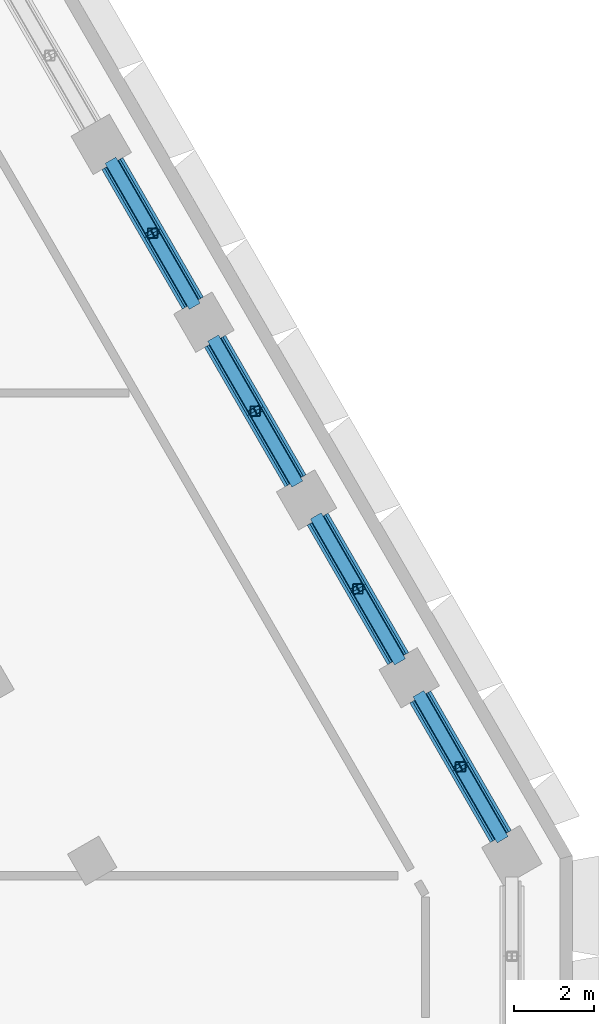
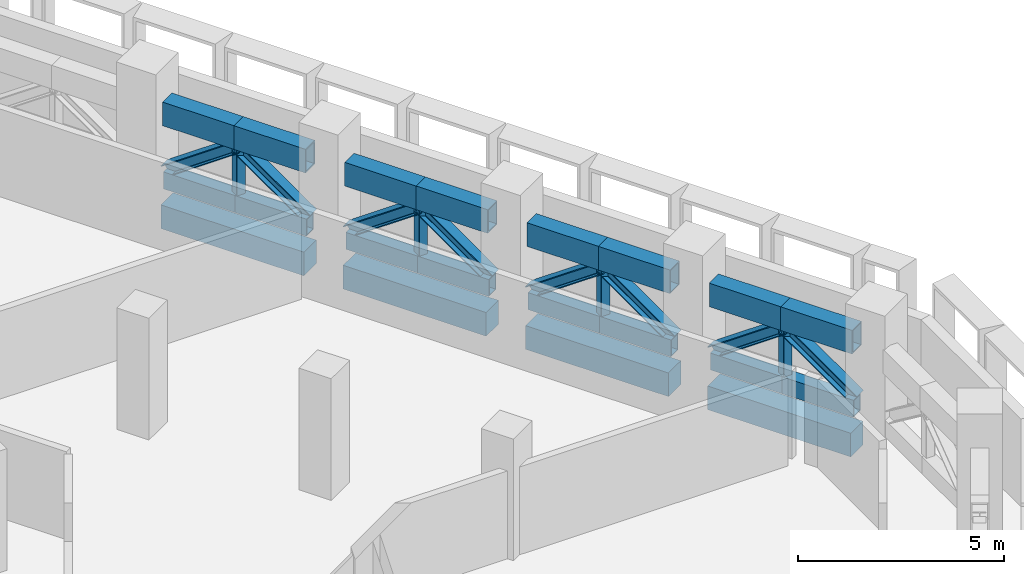
# One storey, part 8 of 22: 28 members, 4 beams.
"""IFC4 building model written with IfcOpenShell, lengths in metres."""

from ifc_helpers import new_model, si_unit, direction, frame, origin, origin_2d, place, context, subcontext, project, spatial, rectangle, hollow_rectangle, i_section, extrude, material, material_profile, profile_set, type_object, element, save


model = new_model("IFC4")

# Units and contexts
model_context = context("Model", 3, precision=1e-05, world=origin(), true_north=direction((0.0, 1.0)))
body_context = subcontext(model_context, "Body", "Model", "MODEL_VIEW")
ifc_project = project(units=[si_unit("LENGTHUNIT", "METRE"), si_unit("AREAUNIT", "SQUARE_METRE"), si_unit("VOLUMEUNIT", "CUBIC_METRE"), si_unit("PLANEANGLEUNIT", "RADIAN"), si_unit("MASSUNIT", "GRAM", prefix="KILO")], contexts=[model_context])

# Site, building, storey
site_placement = place(None, origin())
site = spatial("IfcSite", under=ifc_project, at=site_placement, CompositionType="ELEMENT")
building_placement = place(site_placement, origin())
building = spatial("IfcBuilding", under=site, at=building_placement, Name="Beryl Residences", CompositionType="ELEMENT")
storey_placement = place(building_placement, frame((0.0, 0.0, 62.39990234375)))
storey = spatial("IfcBuildingStorey", under=building, at=storey_placement, Name="L19", CompositionType="ELEMENT", Elevation=62.39990234375)

# Members
ifc_material_1 = material(Name="Steel S355", Category="steel")
ifc_material_profile_1 = material_profile(ifc_material_1, hollow_rectangle(XDim=0.35009765625, YDim=0.5, WallThickness=0.02490234375, at=origin_2d()))
ifc_profile_set_1 = profile_set([ifc_material_profile_1], Name="Steel S355")
member_type_1 = type_object("IfcMemberType", Name="BB1 belt truss bottom chord WB 500x350x25", PredefinedType="CHORD", material=ifc_profile_set_1)
member_1_placement = place(storey_placement, frame((29.572998046875, 2.97607421875, 0.25), z_axis=(-0.499968756647, 0.866043441391, 0.0), x_axis=(-0.866043441391, -0.499968756647, 0.0)))
element("IfcMember", 1, at=member_1_placement, inside=storey, type_object=member_type_1, Name="Belt truss BB1-NE-0a L19", PredefinedType="CHORD", context=body_context, shape_type="SweptSolid", body=[
    extrude(hollow_rectangle(XDim=0.35009765625, YDim=0.5, WallThickness=0.02490234375, at=origin_2d()), origin(), (0.0, 0.0, 1.0), 2.002197265625),
])
member_2_placement = place(storey_placement, frame((28.572021484375, 4.7099609375, 0.25), z_axis=(-0.499338952924, 0.86640672325, 0.0), x_axis=(-0.86640672325, -0.499338952924, 0.0)))
element("IfcMember", 2, at=member_2_placement, inside=storey, type_object=member_type_1, Name="Belt truss BB1-NE-0b L19", PredefinedType="CHORD", context=body_context, shape_type="SweptSolid", body=[
    extrude(hollow_rectangle(XDim=0.35009765625, YDim=0.5, WallThickness=0.02490234375, at=origin_2d()), origin(), (0.0, 0.0, 1.0), 2.002685546875),
])
for number, where, z_axis, x_axis, name in (
    (3, (27.02197265625, 7.39697265625, 0.25), (-0.499915960366, 0.866073918653, 0.0), (-0.866073918653, -0.499915960366, 0.0), "Belt truss BB1-NE-1a L19"),
    (4, (26.02099609375, 9.131103515625, 0.25), (-0.499968756647, 0.866043441391, 0.0), (-0.866043441391, -0.499968756647, 0.0), "Belt truss BB1-NE-1b L19"),
    (5, (24.469970703125, 11.81689453125, 0.25), (-0.499915960366, 0.866073918653, 0.0), (-0.866073918653, -0.499915960366, 0.0), "Belt truss BB1-NE-2a L19"),
    (6, (23.468994140625, 13.551025390625, 0.25), (-0.499968756647, 0.866043441391, 0.0), (-0.866043441391, -0.499968756647, 0.0), "Belt truss BB1-NE-2b L19"),
    (7, (21.91796875, 16.237060546875, 0.25), (-0.499968756647, 0.866043441391, 0.0), (-0.866043441391, -0.499968756647, 0.0), "Belt truss BB1-NE-3a L19"),
    (8, (20.9169921875, 17.970947265625, 0.25), (-0.499915960366, 0.866073918653, 0.0), (-0.866073918653, -0.499915960366, 0.0), "Belt truss BB1-NE-3b L19"),
):
    element("IfcMember", number, at=place(storey_placement, frame(where, z_axis=z_axis, x_axis=x_axis)), inside=storey, type_object=member_type_1, Name=name, PredefinedType="CHORD", context=body_context, shape_type="SweptSolid", body=[
        extrude(hollow_rectangle(XDim=0.35009765625, YDim=0.5, WallThickness=0.02490234375, at=origin_2d()), origin(), (0.0, 0.0, 1.0), 2.002197265625),
    ])
ifc_material_2 = material(Name="Steel S355", Category="steel")
ifc_material_profile_2 = material_profile(ifc_material_2, i_section(OverallWidth=0.31103515625, OverallDepth=0.326904296875, WebThickness=0.015625, FlangeThickness=0.02490234375, FilletRadius=0.0166015625, at=origin_2d()))
ifc_profile_set_2 = profile_set([ifc_material_profile_2], Name="Steel S355")
member_type_2 = type_object("IfcMemberType", Name="BD1 belt truss diagonal 310UC158", PredefinedType="BRACE", material=ifc_profile_set_2)
member_3_placement = place(storey_placement, frame((29.572998046875, 2.97607421875, 0.5), z_axis=(-0.409716105686, 0.709708239654, 0.573102894173), x_axis=(-0.866043441391, -0.499968756647, 0.0)))
element("IfcMember", 9, at=member_3_placement, inside=storey, type_object=member_type_2, Name="Belt truss BD1-NE-0a L19", PredefinedType="BRACE", context=body_context, shape_type="SweptSolid", body=[
    extrude(i_section(OverallWidth=0.31103515625, OverallDepth=0.326904296875, WebThickness=0.015625, FlangeThickness=0.02490234375, FilletRadius=0.0166015625, at=origin_2d()), origin(), (0.0, 0.0, 1.0), 2.443115234375),
])
member_4_placement = place(storey_placement, frame((27.572021484375, 6.445068359375, 0.5), z_axis=(0.409238209188, -0.710072254077, 0.572993439867), x_axis=(0.86640672325, 0.499338952924, 0.0)))
element("IfcMember", 10, at=member_4_placement, inside=storey, type_object=member_type_2, Name="Belt truss BD1-NE-0b L19", PredefinedType="BRACE", context=body_context, shape_type="SweptSolid", body=[
    extrude(i_section(OverallWidth=0.31103515625, OverallDepth=0.326904296875, WebThickness=0.015625, FlangeThickness=0.02490234375, FilletRadius=0.0166015625, at=origin_2d()), origin(), (0.0, 0.0, 1.0), 2.443603515625),
])
member_5_placement = place(storey_placement, frame((27.02197265625, 7.39697265625, 0.5), z_axis=(-0.409687048976, 0.709757831433, 0.573062250214), x_axis=(-0.866073918653, -0.499915960366, 0.0)))
element("IfcMember", 11, at=member_5_placement, inside=storey, type_object=member_type_2, Name="Belt truss BD1-NE-1a L19", PredefinedType="BRACE", context=body_context, shape_type="SweptSolid", body=[
    extrude(i_section(OverallWidth=0.31103515625, OverallDepth=0.326904296875, WebThickness=0.015625, FlangeThickness=0.02490234375, FilletRadius=0.0166015625, at=origin_2d()), origin(), (0.0, 0.0, 1.0), 2.443359375),
])
member_6_placement = place(storey_placement, frame((25.02001953125, 10.864990234375, 0.5), z_axis=(0.409716105686, -0.709708239654, 0.573102894173), x_axis=(0.866043441391, 0.499968756647, 0.0)))
element("IfcMember", 12, at=member_6_placement, inside=storey, type_object=member_type_2, Name="Belt truss BD1-NE-1b L19", PredefinedType="BRACE", context=body_context, shape_type="SweptSolid", body=[
    extrude(i_section(OverallWidth=0.31103515625, OverallDepth=0.326904296875, WebThickness=0.015625, FlangeThickness=0.02490234375, FilletRadius=0.0166015625, at=origin_2d()), origin(), (0.0, 0.0, 1.0), 2.443115234375),
])
member_7_placement = place(storey_placement, frame((24.469970703125, 11.81689453125, 0.5), z_axis=(-0.409687048976, 0.709757831433, 0.573062250214), x_axis=(-0.866073918653, -0.499915960366, 0.0)))
element("IfcMember", 13, at=member_7_placement, inside=storey, type_object=member_type_2, Name="Belt truss BD1-NE-2a L19", PredefinedType="BRACE", context=body_context, shape_type="SweptSolid", body=[
    extrude(i_section(OverallWidth=0.31103515625, OverallDepth=0.326904296875, WebThickness=0.015625, FlangeThickness=0.02490234375, FilletRadius=0.0166015625, at=origin_2d()), origin(), (0.0, 0.0, 1.0), 2.443359375),
])
for number, where, z_axis, x_axis, name in (
    (14, (22.468017578125, 15.284912109375, 0.5), (0.409716105686, -0.709708239654, 0.573102894173), (0.866043441391, 0.499968756647, 0.0), "Belt truss BD1-NE-2b L19"),
    (15, (21.91796875, 16.237060546875, 0.5), (-0.409716105686, 0.709708239654, 0.573102894173), (-0.866043441391, -0.499968756647, 0.0), "Belt truss BD1-NE-3a L19"),
):
    element("IfcMember", number, at=place(storey_placement, frame(where, z_axis=z_axis, x_axis=x_axis)), inside=storey, type_object=member_type_2, Name=name, PredefinedType="BRACE", context=body_context, shape_type="SweptSolid", body=[
        extrude(i_section(OverallWidth=0.31103515625, OverallDepth=0.326904296875, WebThickness=0.015625, FlangeThickness=0.02490234375, FilletRadius=0.0166015625, at=origin_2d()), origin(), (0.0, 0.0, 1.0), 2.443115234375),
    ])
member_8_placement = place(storey_placement, frame((19.916015625, 19.705078125, 0.5), z_axis=(0.409687048976, -0.709757831433, 0.573062250214), x_axis=(0.866073918653, 0.499915960366, 0.0)))
element("IfcMember", 16, at=member_8_placement, inside=storey, type_object=member_type_2, Name="Belt truss BD1-NE-3b L19", PredefinedType="BRACE", context=body_context, shape_type="SweptSolid", body=[
    extrude(i_section(OverallWidth=0.31103515625, OverallDepth=0.326904296875, WebThickness=0.015625, FlangeThickness=0.02490234375, FilletRadius=0.0166015625, at=origin_2d()), origin(), (0.0, 0.0, 1.0), 2.443359375),
])
ifc_material_3 = material(Name="Steel S355", Category="steel")
ifc_material_profile_3 = material_profile(ifc_material_3, hollow_rectangle(XDim=0.25, YDim=0.25, WallThickness=0.009033203125, InnerFilletRadius=0.009033203125, OuterFilletRadius=0.01806640625, at=origin_2d()))
ifc_profile_set_3 = profile_set([ifc_material_profile_3], Name="Steel S355")
member_type_3 = type_object("IfcMemberType", Name="BQ1 belt truss post SHS 250x250x9", PredefinedType="POST", material=ifc_profile_set_3)
for number, where, z_axis, x_axis, name in (
    (17, (28.572021484375, 4.7099609375, 0.5), (0.0, 0.0, 1.0), (1.0, 0.0, 0.0), "Belt truss BQ1-NE-0 L19"),
    (18, (26.02099609375, 9.131103515625, 0.5), (0.0, 0.0, 1.0), (1.0, 0.0, 0.0), "Belt truss BQ1-NE-1 L19"),
    (19, (23.468994140625, 13.551025390625, 0.5), (0.0, 0.0, 1.0), (1.0, 0.0, 0.0), "Belt truss BQ1-NE-2 L19"),
    (20, (20.9169921875, 17.970947265625, 0.5), (0.0, 0.0, 1.0), (1.0, 0.0, 0.0), "Belt truss BQ1-NE-3 L19"),
):
    element("IfcMember", number, at=place(storey_placement, frame(where, z_axis=z_axis, x_axis=x_axis)), inside=storey, type_object=member_type_3, Name=name, PredefinedType="POST", context=body_context, shape_type="SweptSolid", body=[
        extrude(hollow_rectangle(XDim=0.25, YDim=0.25, WallThickness=0.009033203125, InnerFilletRadius=0.009033203125, OuterFilletRadius=0.01806640625, at=origin_2d()), origin(), (0.0, 0.0, 1.0), 1.400146484375),
    ])
ifc_material_4 = material(Name="Steel S355", Category="steel")
ifc_material_profile_4 = material_profile(ifc_material_4, hollow_rectangle(XDim=0.449951171875, YDim=0.699951171875, WallThickness=0.034912109375, at=origin_2d()))
ifc_profile_set_4 = profile_set([ifc_material_profile_4], Name="Steel S355")
member_type_4 = type_object("IfcMemberType", Name="BT1 belt truss top chord WB 700x450x35", PredefinedType="CHORD", material=ifc_profile_set_4)
member_9_placement = place(storey_placement, frame((29.572998046875, 2.97607421875, 2.25), z_axis=(-0.499968756647, 0.866043441391, 0.0), x_axis=(-0.866043441391, -0.499968756647, 0.0)))
element("IfcMember", 21, at=member_9_placement, inside=storey, type_object=member_type_4, Name="Belt truss BT1-NE-0a L19", PredefinedType="CHORD", context=body_context, shape_type="SweptSolid", body=[
    extrude(hollow_rectangle(XDim=0.449951171875, YDim=0.699951171875, WallThickness=0.034912109375, at=origin_2d()), origin(), (0.0, 0.0, 1.0), 2.002197265625),
])
member_10_placement = place(storey_placement, frame((28.572021484375, 4.7099609375, 2.25), z_axis=(-0.499338952924, 0.86640672325, 0.0), x_axis=(-0.86640672325, -0.499338952924, 0.0)))
element("IfcMember", 22, at=member_10_placement, inside=storey, type_object=member_type_4, Name="Belt truss BT1-NE-0b L19", PredefinedType="CHORD", context=body_context, shape_type="SweptSolid", body=[
    extrude(hollow_rectangle(XDim=0.449951171875, YDim=0.699951171875, WallThickness=0.034912109375, at=origin_2d()), origin(), (0.0, 0.0, 1.0), 2.002685546875),
])
for number, where, z_axis, x_axis, name in (
    (23, (27.02197265625, 7.39697265625, 2.25), (-0.499915960366, 0.866073918653, 0.0), (-0.866073918653, -0.499915960366, 0.0), "Belt truss BT1-NE-1a L19"),
    (24, (26.02099609375, 9.131103515625, 2.25), (-0.499968756647, 0.866043441391, 0.0), (-0.866043441391, -0.499968756647, 0.0), "Belt truss BT1-NE-1b L19"),
    (25, (24.469970703125, 11.81689453125, 2.25), (-0.499915960366, 0.866073918653, 0.0), (-0.866073918653, -0.499915960366, 0.0), "Belt truss BT1-NE-2a L19"),
    (26, (23.468994140625, 13.551025390625, 2.25), (-0.499968756647, 0.866043441391, 0.0), (-0.866043441391, -0.499968756647, 0.0), "Belt truss BT1-NE-2b L19"),
    (27, (21.91796875, 16.237060546875, 2.25), (-0.499968756647, 0.866043441391, 0.0), (-0.866043441391, -0.499968756647, 0.0), "Belt truss BT1-NE-3a L19"),
    (28, (20.9169921875, 17.970947265625, 2.25), (-0.499915960366, 0.866073918653, 0.0), (-0.866073918653, -0.499915960366, 0.0), "Belt truss BT1-NE-3b L19"),
):
    element("IfcMember", number, at=place(storey_placement, frame(where, z_axis=z_axis, x_axis=x_axis)), inside=storey, type_object=member_type_4, Name=name, PredefinedType="CHORD", context=body_context, shape_type="SweptSolid", body=[
        extrude(hollow_rectangle(XDim=0.449951171875, YDim=0.699951171875, WallThickness=0.034912109375, at=origin_2d()), origin(), (0.0, 0.0, 1.0), 2.002197265625),
    ])

# Beams
ifc_material_5 = material(Name="Concrete C80/95", Category="concrete")
ifc_material_profile_5 = material_profile(ifc_material_5, rectangle(XDim=0.60009765625, YDim=0.699951171875, at=origin_2d()))
ifc_profile_set_5 = profile_set([ifc_material_profile_5], Name="Concrete C80/95")
beam_type = type_object("IfcBeamType", Name="SB1 spandrel beam 600 x 700 C80/95", PredefinedType="SPANDREL", material=ifc_profile_set_5)
beam_placement = place(storey_placement, frame((29.572998046875, 2.97607421875, -0.75), z_axis=(-0.499653843024, 0.866225165388, 0.0), x_axis=(-0.866225165388, -0.499653843024, 0.0)))
element("IfcBeam", 29, at=beam_placement, inside=storey, type_object=beam_type, Name="SB1 L19 NE-0", PredefinedType="SPANDREL", context=body_context, shape_type="SweptSolid", body=[
    extrude(rectangle(XDim=0.60009765625, YDim=0.699951171875, at=origin_2d()), origin(), (0.0, 0.0, 1.0), 4.004638671875),
])
for number, where, z_axis, x_axis, name in (
    (30, (27.02197265625, 7.39697265625, -0.75), (-0.499942357345, 0.866058681229, 0.0), (-0.866058681229, -0.499942357345, 0.0), "SB1 L19 NE-1"),
    (31, (24.469970703125, 11.81689453125, -0.75), (-0.499942357345, 0.866058681229, 0.0), (-0.866058681229, -0.499942357345, 0.0), "SB1 L19 NE-2"),
    (32, (21.91796875, 16.237060546875, -0.75), (-0.499942357345, 0.866058681229, 0.0), (-0.866058681229, -0.499942357345, 0.0), "SB1 L19 NE-3"),
):
    element("IfcBeam", number, at=place(storey_placement, frame(where, z_axis=z_axis, x_axis=x_axis)), inside=storey, type_object=beam_type, Name=name, PredefinedType="SPANDREL", context=body_context, shape_type="SweptSolid", body=[
        extrude(rectangle(XDim=0.60009765625, YDim=0.699951171875, at=origin_2d()), origin(), (0.0, 0.0, 1.0), 4.00439453125),
    ])

save(model, "model.ifc")
